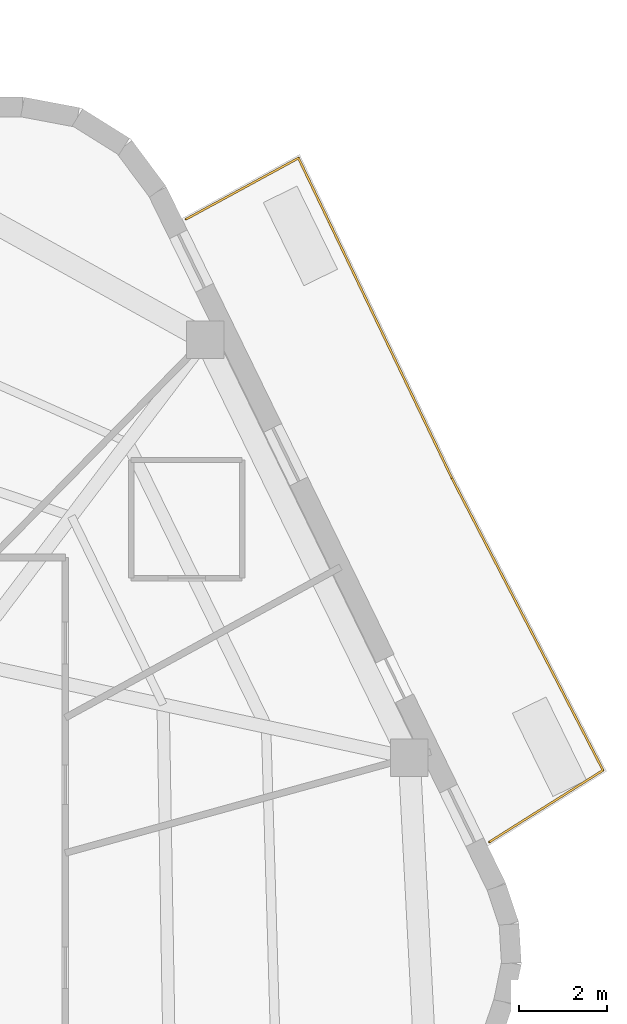
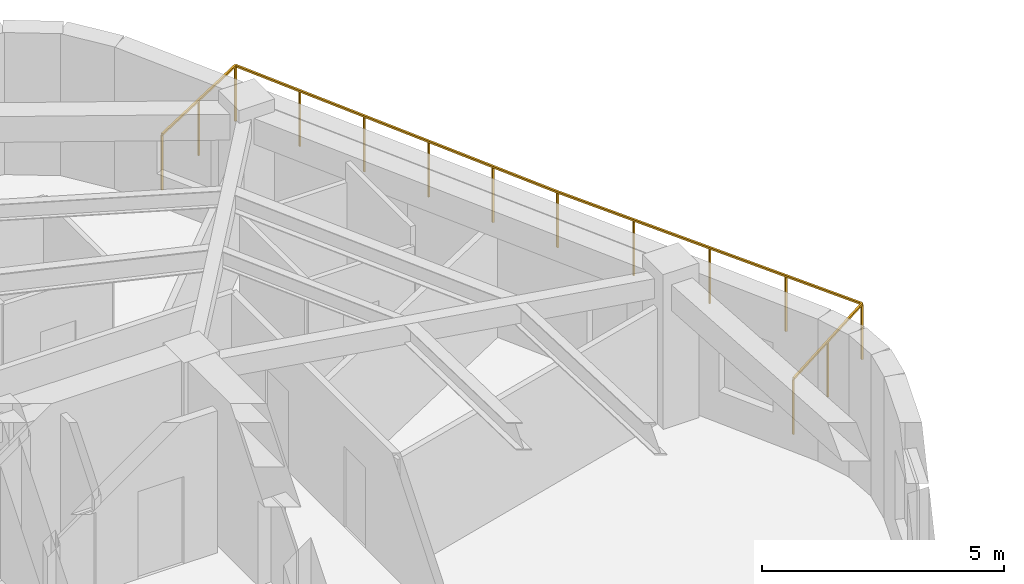
# One storey, part 9 of 9: 1 railing.
"""IFC4 building model written with IfcOpenShell, lengths in metres."""

from ifc_helpers import new_model, si_unit, direction, frame, origin, origin_2d, place, context, subcontext, project, spatial, rectangle, extrude, material, layer, layer_set, type_object, element, save


model = new_model("IFC4")

# Units and contexts
model_context = context("Model", 3, precision=1e-05, world=origin(), true_north=direction((0.0, 1.0)))
body_context = subcontext(model_context, "Body", "Model", "MODEL_VIEW")
ifc_project = project(units=[si_unit("LENGTHUNIT", "METRE"), si_unit("AREAUNIT", "SQUARE_METRE"), si_unit("VOLUMEUNIT", "CUBIC_METRE"), si_unit("PLANEANGLEUNIT", "RADIAN"), si_unit("MASSUNIT", "GRAM", prefix="KILO")], contexts=[model_context])

# Site, building, storey
site_placement = place(None, origin())
site = spatial("IfcSite", under=ifc_project, at=site_placement, CompositionType="ELEMENT")
building_placement = place(site_placement, origin())
building = spatial("IfcBuilding", under=site, at=building_placement, Name="Kilnhurst Terrace Hotel", CompositionType="ELEMENT")
storey_placement = place(building_placement, frame((0.0, 0.0, 284.699951171875)))
storey = spatial("IfcBuildingStorey", under=building, at=storey_placement, Name="L71", CompositionType="ELEMENT", Elevation=284.699951171875)

# Railing
ifc_material = material(Name="Laminated SentryGlas and Stainless Steel AISI 316L Balustrade", Category="steel")
ifc_layer = layer(ifc_material, 0.070068359375, Name="Laminated SentryGlas and Stainless Steel AISI 316L Balustrade")
ifc_layer_set = layer_set([ifc_layer], Name="Laminated SentryGlas and Stainless Steel AISI 316L Balustrade")
railing_type = type_object("IfcRailingType", Name="RLG-BAL-1420", PredefinedType="BALUSTRADE", material=ifc_layer_set)
railing_placement = place(storey_placement, frame((14.089599609375, 17.52880859375, 0.0)))
element("IfcRailing", 1, at=railing_placement, inside=storey, type_object=railing_type, Name="L71 Exterior Terrace Guardrail BAL-L1A.1", PredefinedType="BALUSTRADE", context=body_context, shape_type="SweptSolid", body=[
    extrude(rectangle(XDim=0.048095703125, YDim=0.048095703125, at=origin_2d()), frame((0.0, 0.0, 1.39599609375), z_axis=(0.878504936271, 0.477733269667, 0.0), x_axis=(-0.477733269667, 0.878504936271, 0.0)), (0.0, 0.0, 1.0), 2.90576171875),
    extrude(rectangle(XDim=0.048095703125, YDim=0.048095703125, at=origin_2d()), frame((2.552734375, 1.38818359375, 1.39599609375), z_axis=(0.432219770894, -0.901768301532, 0.0), x_axis=(0.901768301532, 0.432219770894, 0.0)), (0.0, 0.0, 1.0), 8.0576171875),
    extrude(rectangle(XDim=0.048095703125, YDim=0.048095703125, at=origin_2d()), frame((6.035400390625, -5.8779296875, 1.39599609375), z_axis=(0.496138938357, -0.868243142124, 0.0), x_axis=(0.868243142124, 0.496138938357, 0.0)), (0.0, 0.0, 1.0), 0.001953125),
    extrude(rectangle(XDim=0.048095703125, YDim=0.048095703125, at=origin_2d()), frame((6.036376953125, -5.879638671875, 1.39599609375), z_axis=(0.459705000347, -0.888071682161, 0.0), x_axis=(0.888071682161, 0.459705000347, 0.0)), (0.0, 0.0, 1.0), 7.46337890625),
    extrude(rectangle(XDim=0.048095703125, YDim=0.048095703125, at=origin_2d()), frame((9.46728515625, -12.507568359375, 1.39599609375), z_axis=(-0.845686755454, -0.533679596434, 0.0), x_axis=(0.533679596434, -0.845686755454, 0.0)), (0.0, 0.0, 1.0), 3.048583984375),
    extrude(rectangle(XDim=0.0419921875, YDim=0.0419921875, at=origin_2d()), origin(), (0.0, 0.0, 1.0), 1.371826171875),
    extrude(rectangle(XDim=0.0419921875, YDim=0.0419921875, at=origin_2d()), frame((1.2763671875, 0.694091796875, 0.0)), (0.0, 0.0, 1.0), 1.371826171875),
    extrude(rectangle(XDim=0.0419921875, YDim=0.0419921875, at=origin_2d()), frame((2.552734375, 1.38818359375, 0.0)), (0.0, 0.0, 1.0), 1.371826171875),
    extrude(rectangle(XDim=0.0419921875, YDim=0.0419921875, at=origin_2d()), frame((3.249267578125, -0.06494140625, 0.0)), (0.0, 0.0, 1.0), 1.371826171875),
    extrude(rectangle(XDim=0.0419921875, YDim=0.0419921875, at=origin_2d()), frame((3.94580078125, -1.518310546875, 0.0)), (0.0, 0.0, 1.0), 1.371826171875),
    extrude(rectangle(XDim=0.0419921875, YDim=0.0419921875, at=origin_2d()), frame((4.642333984375, -2.971435546875, 0.0)), (0.0, 0.0, 1.0), 1.371826171875),
    extrude(rectangle(XDim=0.0419921875, YDim=0.0419921875, at=origin_2d()), frame((5.3388671875, -4.4248046875, 0.0)), (0.0, 0.0, 1.0), 1.371826171875),
    extrude(rectangle(XDim=0.0419921875, YDim=0.0419921875, at=origin_2d()), frame((6.035400390625, -5.8779296875, 0.0)), (0.0, 0.0, 1.0), 1.371826171875),
    extrude(rectangle(XDim=0.0419921875, YDim=0.0419921875, at=origin_2d()), frame((6.036376953125, -5.879638671875, 0.0)), (0.0, 0.0, 1.0), 1.371826171875),
    extrude(rectangle(XDim=0.0419921875, YDim=0.0419921875, at=origin_2d()), frame((6.89404296875, -7.53662109375, 0.0)), (0.0, 0.0, 1.0), 1.371826171875),
    extrude(rectangle(XDim=0.0419921875, YDim=0.0419921875, at=origin_2d()), frame((7.751953125, -9.193603515625, 0.0)), (0.0, 0.0, 1.0), 1.371826171875),
    extrude(rectangle(XDim=0.0419921875, YDim=0.0419921875, at=origin_2d()), frame((8.609619140625, -10.8505859375, 0.0)), (0.0, 0.0, 1.0), 1.371826171875),
    extrude(rectangle(XDim=0.0419921875, YDim=0.0419921875, at=origin_2d()), frame((9.46728515625, -12.507568359375, 0.0)), (0.0, 0.0, 1.0), 1.371826171875),
    extrude(rectangle(XDim=0.0419921875, YDim=0.0419921875, at=origin_2d()), frame((8.17822265625, -13.321044921875, 0.0)), (0.0, 0.0, 1.0), 1.371826171875),
    extrude(rectangle(XDim=0.0419921875, YDim=0.0419921875, at=origin_2d()), frame((6.88916015625, -14.134521484375, 0.0)), (0.0, 0.0, 1.0), 1.371826171875),
])

save(model, "model.ifc")
